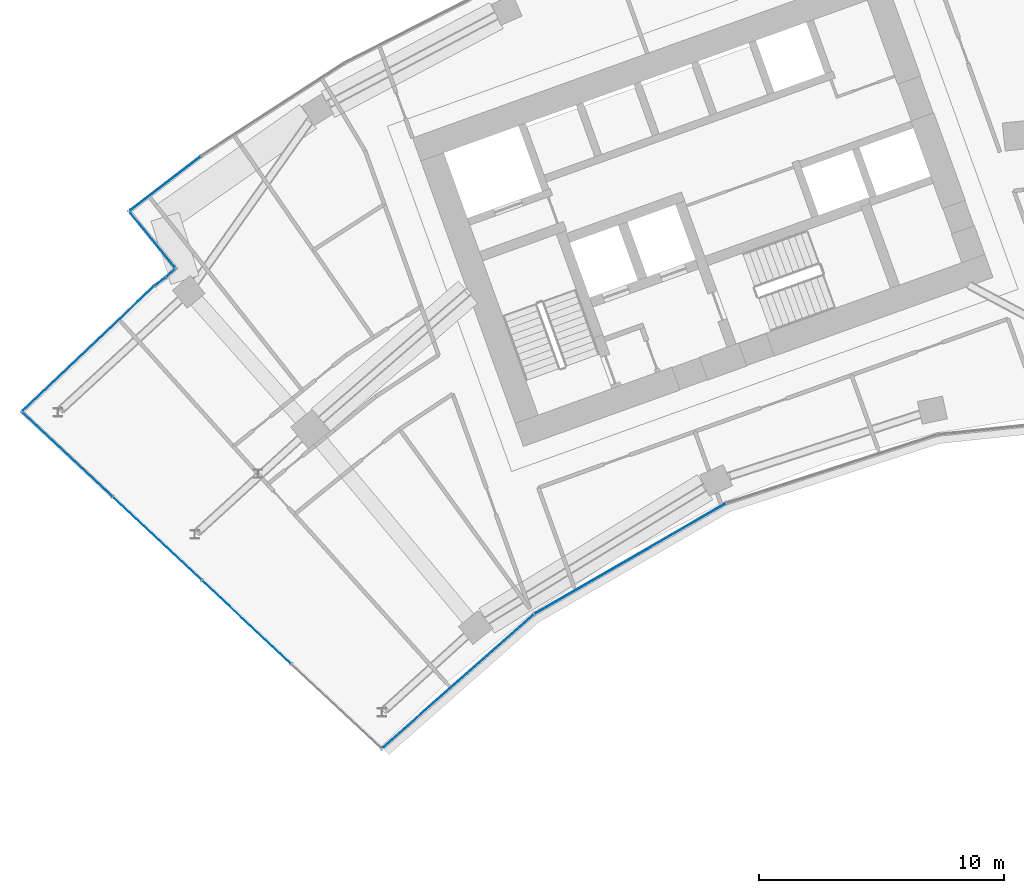
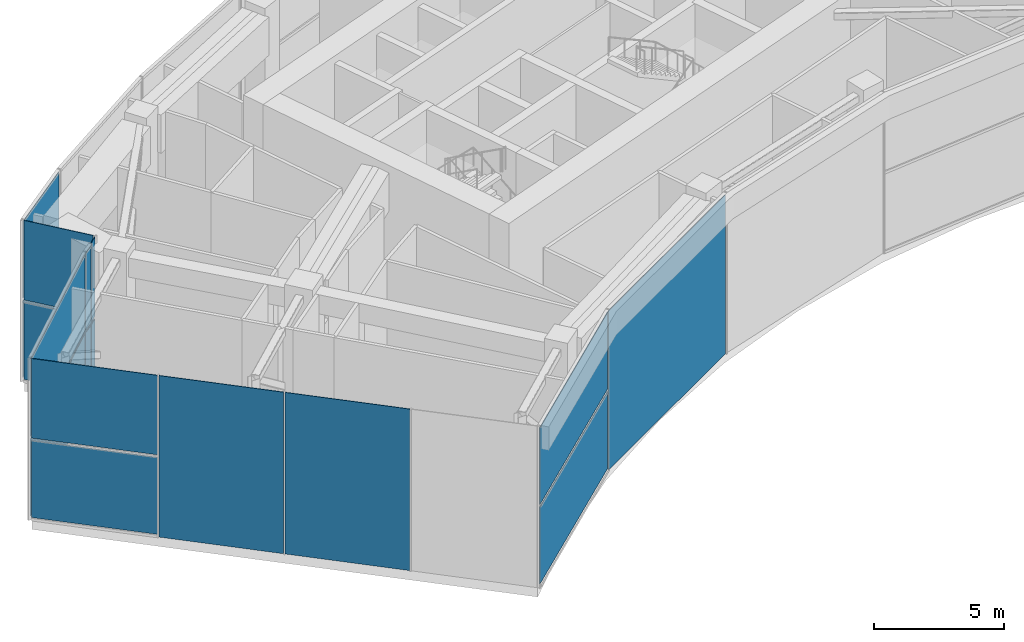
# One storey, part 13 of 26: 17 plates, 7 elements without a shape of their own.
"""IFC4 building model written with IfcOpenShell, lengths in metres."""

import ifcopenshell
import ifcopenshell.guid

model = None  # the IFC model being written
_history = None  # IfcOwnerHistory: only IFC2X3 demands one
_inside = {}  # id of a spatial element -> (the spatial element, [elements in it])
_under = {}  # id of a project, library or spatial element -> (it, [spatial elements below it])
_declared = {}  # id of a project -> (the project, [libraries it declares])
_typed = {}  # id of a type object -> (the type object, [elements of that type])
_made_of = {}  # id of a material, layer set ... -> (it, [elements and type objects made of it])


def new_model(schema):
    """Start an empty IFC model of exactly this schema.

    Asked for "IFC4X3", IfcOpenShell would pick the latest addendum, in which some entities
    have other attributes; the version numbers below select the first issue.
    IFC2X3 requires an IfcOwnerHistory on every rooted entity: one is made here for all.
    """
    global model, _history
    if schema == "IFC4X3":
        model = ifcopenshell.file(schema_version=(4, 3, 0, 0))
    else:
        model = ifcopenshell.file(schema=schema)
    _inside.clear()
    _under.clear()
    _declared.clear()
    _typed.clear()
    _made_of.clear()
    _history = None
    if model.schema == "IFC2X3":
        org = make("IfcOrganization", Name="unknown")
        user = make(
            "IfcPersonAndOrganization",
            ThePerson=make("IfcPerson", FamilyName="unknown"),
            TheOrganization=org,
        )
        app = make(
            "IfcApplication",
            ApplicationDeveloper=org,
            Version="unknown",
            ApplicationFullName="unknown",
            ApplicationIdentifier="unknown",
        )
        _history = make(
            "IfcOwnerHistory",
            OwningUser=user,
            OwningApplication=app,
            ChangeAction="ADDED",
            CreationDate=0,
        )
    return model


def make(cls, **values):
    """One entity of the class cls with the attributes given. An attribute that is None is left unset."""
    return model.create_entity(
        cls, **{name: value for name, value in values.items() if value is not None}
    )


def rooted(cls, **values):
    """An entity with a GlobalId (a new one), such as an element, a storey or a relation."""
    return make(cls, GlobalId=ifcopenshell.guid.new(), OwnerHistory=_history, **values)


def si_unit(unit_type, name, prefix=None):
    """IfcSIUnit, for example si_unit("LENGTHUNIT", "METRE", prefix="MILLI")."""
    return make("IfcSIUnit", UnitType=unit_type, Prefix=prefix, Name=name)


def assignment(units):
    """IfcUnitAssignment: the units of a project."""
    return None if units is None else make("IfcUnitAssignment", Units=units)


def point(xyz):
    """IfcCartesianPoint."""
    return None if xyz is None else make("IfcCartesianPoint", Coordinates=xyz)


def direction(xyz):
    """IfcDirection."""
    return None if xyz is None else make("IfcDirection", DirectionRatios=xyz)


def frame(location, z_axis=None, x_axis=None):
    """IfcAxis2Placement3D, a coordinate frame: its origin and axes. An axis left out is left unset."""
    return make(
        "IfcAxis2Placement3D",
        Location=point(location),
        Axis=direction(z_axis),
        RefDirection=direction(x_axis),
    )


def frame_2d(location, x_axis=None):
    """IfcAxis2Placement2D, a coordinate frame in the plane: its origin and x axis."""
    return make(
        "IfcAxis2Placement2D", Location=point(location), RefDirection=direction(x_axis)
    )


def origin():
    """The frame at (0, 0, 0) with its axes left unset."""
    return frame((0.0, 0.0, 0.0))


def origin_2d():
    """The frame at (0, 0) in the plane with its x axis left unset."""
    return frame_2d((0.0, 0.0))


def place(relative_to, where):
    """IfcLocalPlacement: puts the frame where relative to a parent placement (None: the world)."""
    return make(
        "IfcLocalPlacement", PlacementRelTo=relative_to, RelativePlacement=where
    )


def context(
    kind, dimensions, precision=None, world=None, true_north=None, identifier=None
):
    """IfcGeometricRepresentationContext, for example the 3D "Model" context."""
    return make(
        "IfcGeometricRepresentationContext",
        ContextIdentifier=identifier,
        ContextType=kind,
        CoordinateSpaceDimension=dimensions,
        Precision=precision,
        WorldCoordinateSystem=world,
        TrueNorth=true_north,
    )


def subcontext(parent, identifier, kind, view, scale=None):
    """IfcGeometricRepresentationSubContext, for example "Body" below "Model"."""
    return make(
        "IfcGeometricRepresentationSubContext",
        ContextIdentifier=identifier,
        ContextType=kind,
        ParentContext=parent,
        TargetScale=scale,
        TargetView=view,
    )


def project(units=None, contexts=None):
    """IfcProject with its units and contexts."""
    return rooted(
        "IfcProject",
        Name="project",
        RepresentationContexts=contexts,
        UnitsInContext=assignment(units),
    )


def spatial(cls, under=None, at=None, **own):
    """A site, building, storey or space (cls), placed at a placement, below another one or the project."""
    s = rooted(cls, ObjectPlacement=at, **own)
    if under is not None:
        _under.setdefault(under.id(), (under, []))[1].append(s)
    return s


def profile(cls, at=None, kind="AREA", **sizes):
    """A parametric profile (cls). Its sizes go by their IFC names, for example OverallWidth=200.0."""
    return make(cls, ProfileType=kind, Position=at, **sizes)


def rectangle(**sizes):
    """IfcRectangleProfileDef."""
    return profile("IfcRectangleProfileDef", **sizes)


def extrude(swept, where, along, depth):
    """IfcExtrudedAreaSolid: the profile swept, set in the frame where, extruded along a direction by depth."""
    return make(
        "IfcExtrudedAreaSolid",
        SweptArea=swept,
        Position=where,
        ExtrudedDirection=direction(along),
        Depth=depth,
    )


def shape(context_of_items, identifier, shape_type, items):
    """IfcShapeRepresentation: the items that make up one representation, for example the "Body"."""
    return make(
        "IfcShapeRepresentation",
        ContextOfItems=context_of_items,
        RepresentationIdentifier=identifier,
        RepresentationType=shape_type,
        Items=items,
    )


def material(Name=None, Category=None):
    """IfcMaterial."""
    return make("IfcMaterial", Name=Name, Category=Category)


def layer(
    of_material, thickness, ventilated=None, Name=None, Category=None, Priority=None
):
    """IfcMaterialLayer: one layer of a wall or slab, of a material (None: an air gap)."""
    return make(
        "IfcMaterialLayer",
        Material=of_material,
        LayerThickness=thickness,
        IsVentilated=ventilated,
        Name=Name,
        Category=Category,
        Priority=Priority,
    )


def layer_set(layers, Name=None):
    """IfcMaterialLayerSet."""
    return make("IfcMaterialLayerSet", MaterialLayers=layers, LayerSetName=Name)


def made_of(thing, what):
    """Note that an element or type object is made of a material, layer set ...; save() writes the relation."""
    if what is not None:
        _made_of.setdefault(what.id(), (what, []))[1].append(thing)
    return thing


def type_object(cls, material=None, **own):
    """A type object (cls), such as IfcWallType, which elements share."""
    return made_of(rooted(cls, **own), material)


def element(
    cls,
    number,
    at=None,
    inside=None,
    cuts=None,
    type_object=None,
    material=None,
    context=None,
    identifier="Body",
    shape_type=None,
    held_by="IfcProductDefinitionShape",
    body=None,
    shapes=None,
    **own,
):
    """One element of the class cls, such as IfcWall. Its Tag is "e" and its number.

    at: its placement. inside: the storey or other place that contains it. cuts: it is an
    opening in that element (IfcRelVoidsElement). A single representation is given by context,
    identifier, shape_type and body (its items); several are given by shapes. held_by: the class
    of the entity that holds the representations. save() writes the other relations.
    """
    e = rooted(cls, Tag="e%d" % number, ObjectPlacement=at, **own)
    if body is not None:
        shapes = [shape(context, identifier, shape_type, body)]
    if shapes is not None:
        e.Representation = make(held_by, Representations=shapes)
    if inside is not None:
        _inside.setdefault(inside.id(), (inside, []))[1].append(e)
    if cuts is not None:
        rooted(
            "IfcRelVoidsElement", RelatingBuildingElement=cuts, RelatedOpeningElement=e
        )
    if type_object is not None:
        _typed.setdefault(type_object.id(), (type_object, []))[1].append(e)
    return made_of(e, material)


def aggregate(whole, parts):
    """IfcRelAggregates: a whole, such as a stair, and the parts it consists of."""
    return rooted("IfcRelAggregates", RelatingObject=whole, RelatedObjects=parts)


def save(model, path):
    """Write the relations noted so far, then the file.

    IfcRelAggregates (storeys below a building ...), IfcRelContainedInSpatialStructure (elements
    in a storey), IfcRelDefinesByType, IfcRelAssociatesMaterial and IfcRelDeclares: one each for
    every whole, place, type object, material and project.
    """
    for whole, parts in _under.values():
        aggregate(whole, parts)
    for where, things in _inside.values():
        rooted(
            "IfcRelContainedInSpatialStructure",
            RelatedElements=things,
            RelatingStructure=where,
        )
    for kind, things in _typed.values():
        rooted("IfcRelDefinesByType", RelatedObjects=things, RelatingType=kind)
    for what, things in _made_of.values():
        rooted("IfcRelAssociatesMaterial", RelatedObjects=things, RelatingMaterial=what)
    for by, libraries in _declared.values():
        rooted("IfcRelDeclares", RelatingContext=by, RelatedDefinitions=libraries)
    model.write(path)


model = new_model("IFC4")

# Units and contexts
model_context = context("Model", 3, precision=1e-05, world=origin(), true_north=direction((0.0, 1.0)))
body_context = subcontext(model_context, "Body", "Model", "MODEL_VIEW")
ifc_project = project(units=[si_unit("LENGTHUNIT", "METRE"), si_unit("AREAUNIT", "SQUARE_METRE"), si_unit("VOLUMEUNIT", "CUBIC_METRE"), si_unit("PLANEANGLEUNIT", "RADIAN"), si_unit("MASSUNIT", "GRAM", prefix="KILO")], contexts=[model_context])

# Site, building, storey
site_placement = place(None, origin())
site = spatial("IfcSite", under=ifc_project, at=site_placement, CompositionType="ELEMENT")
building_placement = place(site_placement, origin())
building = spatial("IfcBuilding", under=site, at=building_placement, Name="Stone Belt Terrace Tower", CompositionType="ELEMENT")
storey_placement = place(building_placement, frame((0.0, 0.0, 250.39990234375)))
storey = spatial("IfcBuildingStorey", under=building, at=storey_placement, Name="L61", CompositionType="ELEMENT", Elevation=250.39990234375)

# Curtain wall, plates
ifc_material_1 = material(Name="Aluminium 6063-T6 anodised frame", Category="aluminium")
ifc_layer_1 = layer(ifc_material_1, 0.14990234375)
ifc_layer_set_1 = layer_set([ifc_layer_1], Name="CW-A unitised convex-face curtain wall")
curtain_wall_type_1 = type_object("IfcCurtainWallType", Name="CW-A unitised convex-face curtain wall", PredefinedType="NOTDEFINED", material=ifc_layer_set_1)
curtain_wall_1_placement = place(storey_placement, origin())
curtain_wall_1 = element("IfcCurtainWall", 1, at=curtain_wall_1_placement, inside=storey, type_object=curtain_wall_type_1, Name="CW-A convex face L61", PredefinedType="NOTDEFINED")
ifc_material_2 = material(Name="Terracotta coloured glazed ceramic", Category="masonry")
ifc_layer_2 = layer(ifc_material_2, 0.031982421875)
ifc_layer_set_2 = layer_set([ifc_layer_2], Name="CW-A ceramic louvre panel 32")
plate_type_1 = type_object("IfcPlateType", Name="CW-A ceramic louvre panel 32", PredefinedType="CURTAIN_PANEL", material=ifc_layer_set_2)
plate_1_placement = place(storey_placement, frame((-40.583251953125, 52.744140625, 0.14013671875), z_axis=(0.0, 0.0, 1.0), x_axis=(-0.792693871824, -0.60961990254, 0.0)))
plate_1 = element("IfcPlate", 2, at=plate_1_placement, type_object=plate_type_1, Name="CW-A louvre panel 15.1", PredefinedType="CURTAIN_PANEL", context=body_context, shape_type="SweptSolid", body=[
    extrude(rectangle(XDim=3.597900390625, YDim=0.031982421875, at=origin_2d()), origin(), (0.0, 0.0, 1.0), 3.590087890625),
])
plate_2_placement = place(storey_placement, frame((-40.583251953125, 52.744140625, 3.8701171875), z_axis=(0.0, 0.0, 1.0), x_axis=(-0.792693871824, -0.60961990254, 0.0)))
plate_2 = element("IfcPlate", 3, at=plate_2_placement, type_object=plate_type_1, Name="CW-A louvre panel 15.2", PredefinedType="CURTAIN_PANEL", context=body_context, shape_type="SweptSolid", body=[
    extrude(rectangle(XDim=3.597900390625, YDim=0.031982421875, at=origin_2d()), origin(), (0.0, 0.0, 1.0), 3.590087890625),
])
aggregate(curtain_wall_1, [plate_1, plate_2])

ifc_layer_3 = layer(ifc_material_1, 0.14990234375)
ifc_layer_set_3 = layer_set([ifc_layer_3], Name="CW-B unitised concave-face curtain wall")
curtain_wall_type_2 = type_object("IfcCurtainWallType", Name="CW-B unitised concave-face curtain wall", PredefinedType="NOTDEFINED", material=ifc_layer_set_3)
curtain_wall_2_placement = place(storey_placement, origin())
curtain_wall_2 = element("IfcCurtainWall", 4, at=curtain_wall_2_placement, inside=storey, type_object=curtain_wall_type_2, Name="CW-B concave face L61", PredefinedType="NOTDEFINED")
ifc_layer_4 = layer(ifc_material_2, 0.030029296875)
ifc_layer_set_4 = layer_set([ifc_layer_4], Name="CW-B ceramic louvre panel 30")
plate_type_2 = type_object("IfcPlateType", Name="CW-B ceramic louvre panel 30", PredefinedType="CURTAIN_PANEL", material=ifc_layer_set_4)
plate_3_placement = place(storey_placement, frame((-28.624755859375, 32.39404296875, 0.1201171875), z_axis=(0.0, 0.0, 1.0), x_axis=(0.749658646805, 0.661824684694, 0.0)))
plate_3 = element("IfcPlate", 5, at=plate_3_placement, type_object=plate_type_2, Name="CW-B louvre panel 1.1", PredefinedType="CURTAIN_PANEL", context=body_context, shape_type="SweptSolid", body=[
    extrude(rectangle(XDim=8.2060546875, YDim=0.030029296875, at=origin_2d()), origin(), (0.0, 0.0, 1.0), 3.6201171875),
])
plate_4_placement = place(storey_placement, frame((-28.624755859375, 32.39404296875, 3.860107421875), z_axis=(0.0, 0.0, 1.0), x_axis=(0.749658646805, 0.661824684694, 0.0)))
plate_4 = element("IfcPlate", 6, at=plate_4_placement, type_object=plate_type_2, Name="CW-B louvre panel 1.2", PredefinedType="CURTAIN_PANEL", context=body_context, shape_type="SweptSolid", body=[
    extrude(rectangle(XDim=8.2060546875, YDim=0.030029296875, at=origin_2d()), origin(), (0.0, 0.0, 1.0), 3.6201171875),
])
plate_5_placement = place(storey_placement, frame((-21.59375, 37.400634765625, 0.0), z_axis=(0.0, 0.0, 1.0), x_axis=(0.866025403784, 0.5, 0.0)))
plate_5 = element("IfcPlate", 7, at=plate_5_placement, type_object=plate_type_2, Name="CW-B louvre panel 2.1", PredefinedType="CURTAIN_PANEL", context=body_context, shape_type="SweptSolid", body=[
    extrude(rectangle(XDim=9.013427734375, YDim=0.030029296875, at=origin_2d()), origin(), (0.0, 0.0, 1.0), 7.47998046875),
])
aggregate(curtain_wall_2, [plate_3, plate_4, plate_5])

ifc_layer_5 = layer(ifc_material_1, 0.14990234375)
ifc_layer_set_5 = layer_set([ifc_layer_5], Name="CW-C stick curtain wall, horn ends and notches")
curtain_wall_type_3 = type_object("IfcCurtainWallType", Name="CW-C stick curtain wall, horn ends and notches", PredefinedType="NOTDEFINED", material=ifc_layer_set_5)
curtain_wall_3_placement = place(storey_placement, origin())
curtain_wall_3 = element("IfcCurtainWall", 8, at=curtain_wall_3_placement, inside=storey, type_object=curtain_wall_type_3, Name="CW-C notch face L61", PredefinedType="NOTDEFINED")
ifc_layer_6 = layer(ifc_material_2, 0.028076171875)
ifc_layer_set_6 = layer_set([ifc_layer_6], Name="CW-C ceramic louvre panel 28")
plate_type_3 = type_object("IfcPlateType", Name="CW-C ceramic louvre panel 28", PredefinedType="CURTAIN_PANEL", material=ifc_layer_set_6)
plate_6_placement = place(storey_placement, frame((-41.119140625, 50.43505859375, 0.1201171875), z_axis=(0.0, 0.0, 1.0), x_axis=(0.631001485542, -0.775781622136, 0.0)))
plate_6 = element("IfcPlate", 9, at=plate_6_placement, type_object=plate_type_3, Name="CW-C louvre panel 1.1", PredefinedType="CURTAIN_PANEL", context=body_context, shape_type="SweptSolid", body=[
    extrude(rectangle(XDim=2.859130859375, YDim=0.028076171875, at=origin_2d()), origin(), (0.0, 0.0, 1.0), 3.6201171875),
])
plate_7_placement = place(storey_placement, frame((-41.119140625, 50.43505859375, 3.85986328125), z_axis=(0.0, 0.0, 1.0), x_axis=(0.631001485542, -0.775781622136, 0.0)))
plate_7 = element("IfcPlate", 10, at=plate_7_placement, type_object=plate_type_3, Name="CW-C louvre panel 1.2", PredefinedType="CURTAIN_PANEL", context=body_context, shape_type="SweptSolid", body=[
    extrude(rectangle(XDim=2.859130859375, YDim=0.028076171875, at=origin_2d()), origin(), (0.0, 0.0, 1.0), 3.739990234375),
])
aggregate(curtain_wall_3, [plate_6, plate_7])

curtain_wall_4_placement = place(storey_placement, origin())
curtain_wall_4 = element("IfcCurtainWall", 11, at=curtain_wall_4_placement, inside=storey, type_object=curtain_wall_type_3, Name="CW-C end face L61", PredefinedType="NOTDEFINED")
plate_8_placement = place(storey_placement, frame((-40.378662109375, 49.075439453125, 0.1201171875), z_axis=(0.0, 0.0, 1.0), x_axis=(-0.731339333871, -0.682013767261, 0.0)))
plate_8 = element("IfcPlate", 12, at=plate_8_placement, type_object=plate_type_3, Name="CW-C louvre panel 1.1", PredefinedType="CURTAIN_PANEL", context=body_context, shape_type="SweptSolid", body=[
    extrude(rectangle(XDim=0.421630859375, YDim=0.028076171875, at=origin_2d()), origin(), (0.0, 0.0, 1.0), 3.6201171875),
])
plate_9_placement = place(storey_placement, frame((-40.378662109375, 49.075439453125, 3.85986328125), z_axis=(0.0, 0.0, 1.0), x_axis=(-0.731339333871, -0.682013767261, 0.0)))
plate_9 = element("IfcPlate", 13, at=plate_9_placement, type_object=plate_type_3, Name="CW-C louvre panel 1.2", PredefinedType="CURTAIN_PANEL", context=body_context, shape_type="SweptSolid", body=[
    extrude(rectangle(XDim=0.421630859375, YDim=0.028076171875, at=origin_2d()), origin(), (0.0, 0.0, 1.0), 3.739990234375),
])
aggregate(curtain_wall_4, [plate_8, plate_9])

curtain_wall_5_placement = place(storey_placement, origin())
curtain_wall_5 = element("IfcCurtainWall", 14, at=curtain_wall_5_placement, inside=storey, type_object=curtain_wall_type_3, Name="CW-C end face L61", PredefinedType="NOTDEFINED")
plate_10_placement = place(storey_placement, frame((-40.801025390625, 48.729736328125, 0.1201171875), z_axis=(0.0, 0.0, 1.0), x_axis=(-0.805576193691, -0.592492190799, 0.0)))
plate_10 = element("IfcPlate", 15, at=plate_10_placement, type_object=plate_type_3, Name="CW-C louvre panel 1.1", PredefinedType="CURTAIN_PANEL", context=body_context, shape_type="SweptSolid", body=[
    extrude(rectangle(XDim=0.534912109375, YDim=0.028076171875, at=origin_2d()), origin(), (0.0, 0.0, 1.0), 3.6201171875),
])
plate_11_placement = place(storey_placement, frame((-40.801025390625, 48.729736328125, 3.860107421875), z_axis=(0.0, 0.0, 1.0), x_axis=(-0.805576193691, -0.592492190799, 0.0)))
plate_11 = element("IfcPlate", 16, at=plate_11_placement, type_object=plate_type_3, Name="CW-C louvre panel 1.2", PredefinedType="CURTAIN_PANEL", context=body_context, shape_type="SweptSolid", body=[
    extrude(rectangle(XDim=0.534912109375, YDim=0.028076171875, at=origin_2d()), origin(), (0.0, 0.0, 1.0), 3.6201171875),
])
aggregate(curtain_wall_5, [plate_10, plate_11])

curtain_wall_6_placement = place(storey_placement, origin())
curtain_wall_6 = element("IfcCurtainWall", 17, at=curtain_wall_6_placement, inside=storey, type_object=curtain_wall_type_3, Name="CW-C notch face L61", PredefinedType="NOTDEFINED")
plate_12_placement = place(storey_placement, frame((-43.736572265625, 45.99169921875, 0.1201171875), z_axis=(0.0, 0.0, 1.0), x_axis=(-0.72483601074, -0.688921445111, 0.0)))
plate_12 = element("IfcPlate", 18, at=plate_12_placement, type_object=plate_type_3, Name="CW-C louvre panel 1.1", PredefinedType="CURTAIN_PANEL", context=body_context, shape_type="SweptSolid", body=[
    extrude(rectangle(XDim=7.359375, YDim=0.028076171875, at=origin_2d()), origin(), (0.0, 0.0, 1.0), 3.6201171875),
])
plate_13_placement = place(storey_placement, frame((-43.736572265625, 45.99169921875, 3.860107421875), z_axis=(0.0, 0.0, 1.0), x_axis=(-0.72483601074, -0.688921445111, 0.0)))
plate_13 = element("IfcPlate", 19, at=plate_13_placement, type_object=plate_type_3, Name="CW-C louvre panel 1.2", PredefinedType="CURTAIN_PANEL", context=body_context, shape_type="SweptSolid", body=[
    extrude(rectangle(XDim=7.359375, YDim=0.028076171875, at=origin_2d()), origin(), (0.0, 0.0, 1.0), 3.6201171875),
])
aggregate(curtain_wall_6, [plate_12, plate_13])

curtain_wall_7_placement = place(storey_placement, origin())
curtain_wall_7 = element("IfcCurtainWall", 20, at=curtain_wall_7_placement, inside=storey, type_object=curtain_wall_type_3, Name="CW-C end face L61", PredefinedType="NOTDEFINED")
plate_14_placement = place(storey_placement, frame((-44.587890625, 41.653564453125, 0.1201171875), z_axis=(0.0, 0.0, 1.0), x_axis=(0.729904219708, -0.683549434973, 0.0)))
plate_14 = element("IfcPlate", 21, at=plate_14_placement, type_object=plate_type_3, Name="CW-C louvre panel 1.1", PredefinedType="CURTAIN_PANEL", context=body_context, shape_type="SweptSolid", body=[
    extrude(rectangle(XDim=4.974365234375, YDim=0.028076171875, at=origin_2d()), origin(), (0.0, 0.0, 1.0), 3.6201171875),
])
plate_15_placement = place(storey_placement, frame((-44.587890625, 41.653564453125, 3.85986328125), z_axis=(0.0, 0.0, 1.0), x_axis=(0.729904219708, -0.683549434973, 0.0)))
plate_15 = element("IfcPlate", 22, at=plate_15_placement, type_object=plate_type_3, Name="CW-C louvre panel 1.2", PredefinedType="CURTAIN_PANEL", context=body_context, shape_type="SweptSolid", body=[
    extrude(rectangle(XDim=4.974365234375, YDim=0.028076171875, at=origin_2d()), origin(), (0.0, 0.0, 1.0), 3.739990234375),
])
plate_16_placement = place(storey_placement, frame((-40.92578125, 38.22412109375, 0.0), z_axis=(0.0, 0.0, 1.0), x_axis=(0.729904219708, -0.683549434973, 0.0)))
plate_16 = element("IfcPlate", 23, at=plate_16_placement, type_object=plate_type_3, Name="CW-C louvre panel 2.1", PredefinedType="CURTAIN_PANEL", context=body_context, shape_type="SweptSolid", body=[
    extrude(rectangle(XDim=4.93994140625, YDim=0.028076171875, at=origin_2d()), origin(), (0.0, 0.0, 1.0), 7.60009765625),
])
plate_17_placement = place(storey_placement, frame((-37.2763671875, 34.806396484375, 0.0), z_axis=(0.0, 0.0, 1.0), x_axis=(0.729904219708, -0.683549434973, 0.0)))
plate_17 = element("IfcPlate", 24, at=plate_17_placement, type_object=plate_type_3, Name="CW-C louvre panel 3.1", PredefinedType="CURTAIN_PANEL", context=body_context, shape_type="SweptSolid", body=[
    extrude(rectangle(XDim=4.93994140625, YDim=0.028076171875, at=origin_2d()), origin(), (0.0, 0.0, 1.0), 7.60009765625),
])
aggregate(curtain_wall_7, [plate_14, plate_15, plate_16, plate_17])

save(model, "model.ifc")
